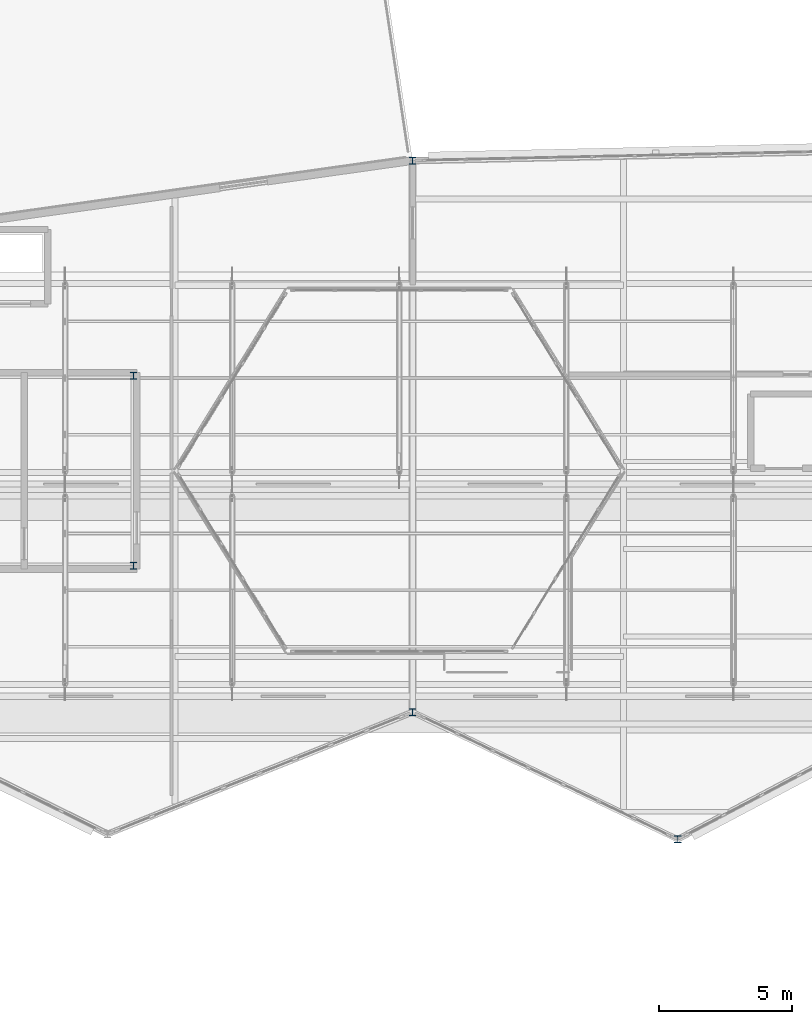
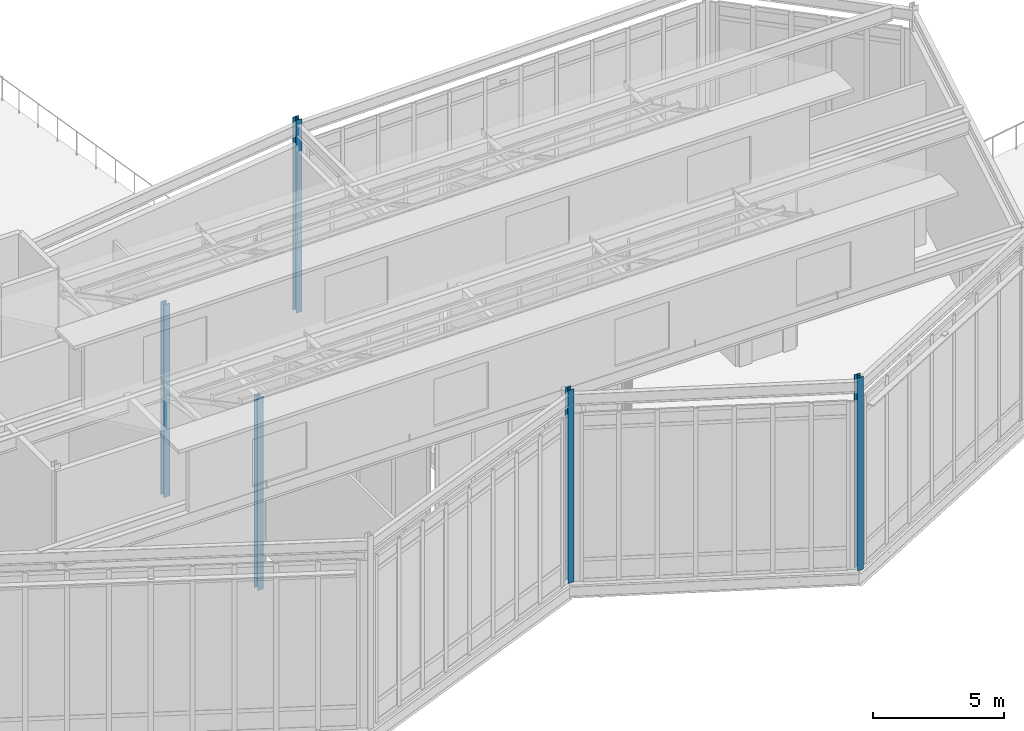
# One storey, part 2 of 66: 5 columns.
"""IFC4 building model written with IfcOpenShell, lengths in metres."""

from ifc_helpers import new_model, si_unit, direction, frame, origin, origin_2d, place, context, subcontext, project, spatial, i_section, extrude, material, material_profile, profile_set, type_object, element, save


model = new_model("IFC4")

# Units and contexts
model_context = context("Model", 3, precision=1e-05, world=origin(), true_north=direction((0.0, 1.0)))
body_context = subcontext(model_context, "Body", "Model", "MODEL_VIEW")
ifc_project = project(units=[si_unit("LENGTHUNIT", "METRE"), si_unit("AREAUNIT", "SQUARE_METRE"), si_unit("VOLUMEUNIT", "CUBIC_METRE"), si_unit("PLANEANGLEUNIT", "RADIAN"), si_unit("MASSUNIT", "GRAM", prefix="KILO")], contexts=[model_context])

# Site, building, storey
site_placement = place(None, origin())
site = spatial("IfcSite", under=ifc_project, at=site_placement, CompositionType="ELEMENT")
building_placement = place(site_placement, origin())
building = spatial("IfcBuilding", under=site, at=building_placement, Name="Tameran Prism Museum", CompositionType="ELEMENT")
storey_placement = place(building_placement, frame((0.0, 0.0, 19.800048828125)))
storey = spatial("IfcBuildingStorey", under=building, at=storey_placement, Name="L04", CompositionType="ELEMENT", Elevation=19.800048828125)

# Columns
ifc_material = material(Name="Steel Grade 300PLUS (300 MPa)", Category="steel")
ifc_material_profile = material_profile(ifc_material, i_section(OverallWidth=0.256103515625, OverallDepth=0.260009765625, WebThickness=0.010498046875, FlangeThickness=0.017333984375, FilletRadius=0.0126953125, at=origin_2d()))
ifc_profile_set = profile_set([ifc_material_profile])
column_type = type_object("IfcColumnType", Name="COL-UC250A", PredefinedType="COLUMN", material=ifc_profile_set)
for number, where, z_axis, x_axis, name in (
    (1, (77.5, 27.39990234375, 0.0), (0.0, 0.0, 1.0), (1.0, 0.0, 0.0), "Column CV-34 L04"),
    (2, (77.5, 48.199951171875, 0.0), (0.0, 0.0, 1.0), (1.0, 0.0, 0.0), "Column CV-35 L04"),
    (3, (87.5, 22.60009765625, 0.0), (0.0, 0.0, 1.0), (1.0, 0.0, 0.0), "Column CV-36 L04"),
    (4, (66.97998046875, 32.919921875, 0.0), (0.0, 0.0, 1.0), (1.0, 0.0, 0.0), "Column CC-3-2 L04"),
    (5, (66.97998046875, 40.080078125, 0.0), (0.0, 0.0, 1.0), (1.0, 0.0, 0.0), "Column CC-3-3 L04"),
):
    element("IfcColumn", number, at=place(storey_placement, frame(where, z_axis=z_axis, x_axis=x_axis)), inside=storey, type_object=column_type, Name=name, PredefinedType="COLUMN", context=body_context, shape_type="SweptSolid", body=[
        extrude(i_section(OverallWidth=0.256103515625, OverallDepth=0.260009765625, WebThickness=0.010498046875, FlangeThickness=0.017333984375, FilletRadius=0.0126953125, at=origin_2d()), origin(), (0.0, 0.0, 1.0), 9.0),
    ])

save(model, "model.ifc")
